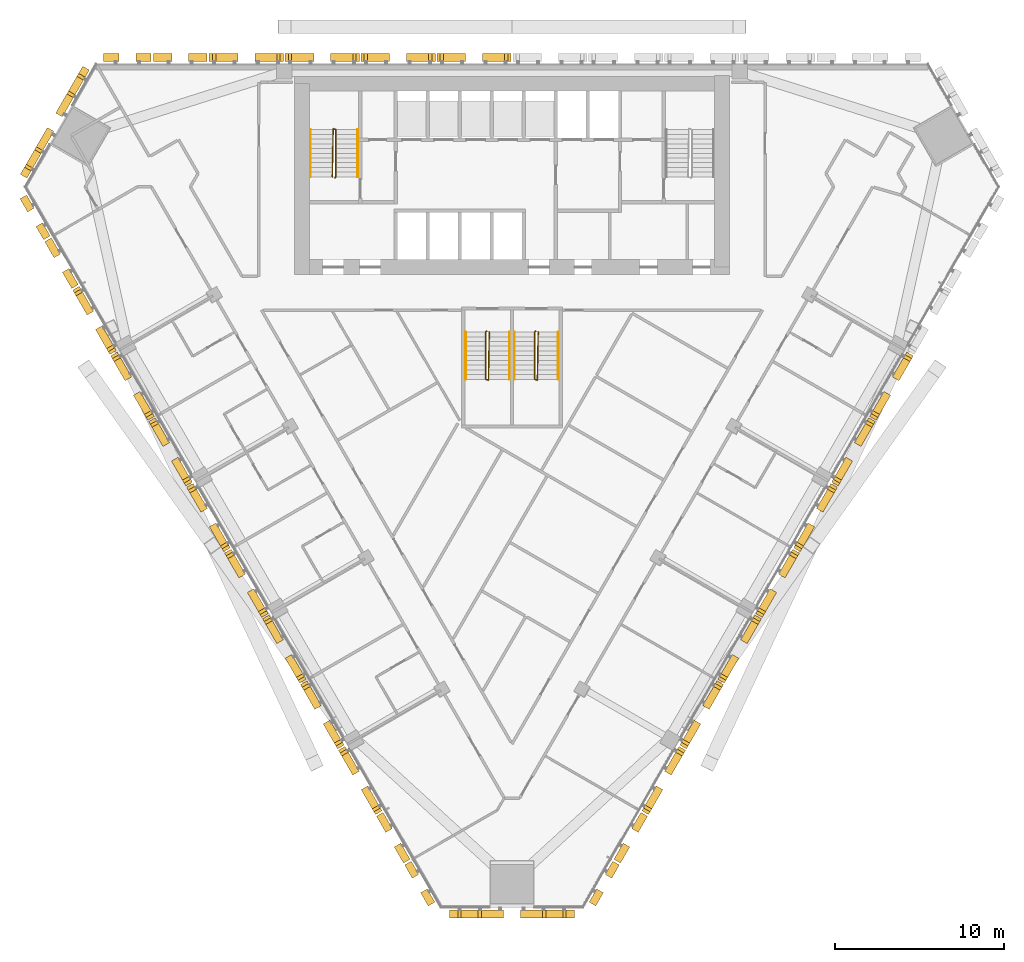
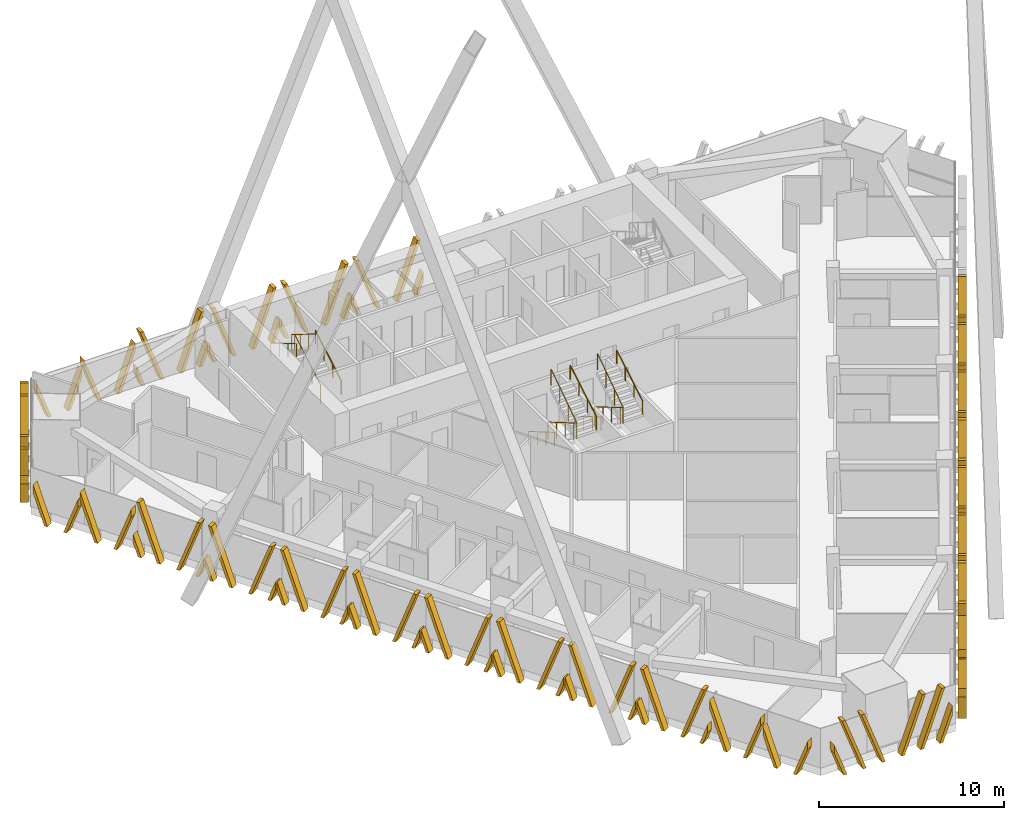
# One storey, part 21 of 23: 29 shading devices, 9 railings.
"""IFC4 building model written with IfcOpenShell, lengths in metres."""

import ifcopenshell
import ifcopenshell.guid

model = None  # the IFC model being written
_history = None  # IfcOwnerHistory: only IFC2X3 demands one
_inside = {}  # id of a spatial element -> (the spatial element, [elements in it])
_under = {}  # id of a project, library or spatial element -> (it, [spatial elements below it])
_declared = {}  # id of a project -> (the project, [libraries it declares])
_typed = {}  # id of a type object -> (the type object, [elements of that type])
_made_of = {}  # id of a material, layer set ... -> (it, [elements and type objects made of it])


def new_model(schema):
    """Start an empty IFC model of exactly this schema.

    Asked for "IFC4X3", IfcOpenShell would pick the latest addendum, in which some entities
    have other attributes; the version numbers below select the first issue.
    IFC2X3 requires an IfcOwnerHistory on every rooted entity: one is made here for all.
    """
    global model, _history
    if schema == "IFC4X3":
        model = ifcopenshell.file(schema_version=(4, 3, 0, 0))
    else:
        model = ifcopenshell.file(schema=schema)
    _inside.clear()
    _under.clear()
    _declared.clear()
    _typed.clear()
    _made_of.clear()
    _history = None
    if model.schema == "IFC2X3":
        org = make("IfcOrganization", Name="unknown")
        user = make(
            "IfcPersonAndOrganization",
            ThePerson=make("IfcPerson", FamilyName="unknown"),
            TheOrganization=org,
        )
        app = make(
            "IfcApplication",
            ApplicationDeveloper=org,
            Version="unknown",
            ApplicationFullName="unknown",
            ApplicationIdentifier="unknown",
        )
        _history = make(
            "IfcOwnerHistory",
            OwningUser=user,
            OwningApplication=app,
            ChangeAction="ADDED",
            CreationDate=0,
        )
    return model


def make(cls, **values):
    """One entity of the class cls with the attributes given. An attribute that is None is left unset."""
    return model.create_entity(
        cls, **{name: value for name, value in values.items() if value is not None}
    )


def rooted(cls, **values):
    """An entity with a GlobalId (a new one), such as an element, a storey or a relation."""
    return make(cls, GlobalId=ifcopenshell.guid.new(), OwnerHistory=_history, **values)


def si_unit(unit_type, name, prefix=None):
    """IfcSIUnit, for example si_unit("LENGTHUNIT", "METRE", prefix="MILLI")."""
    return make("IfcSIUnit", UnitType=unit_type, Prefix=prefix, Name=name)


def assignment(units):
    """IfcUnitAssignment: the units of a project."""
    return None if units is None else make("IfcUnitAssignment", Units=units)


def point(xyz):
    """IfcCartesianPoint."""
    return None if xyz is None else make("IfcCartesianPoint", Coordinates=xyz)


def direction(xyz):
    """IfcDirection."""
    return None if xyz is None else make("IfcDirection", DirectionRatios=xyz)


def frame(location, z_axis=None, x_axis=None):
    """IfcAxis2Placement3D, a coordinate frame: its origin and axes. An axis left out is left unset."""
    return make(
        "IfcAxis2Placement3D",
        Location=point(location),
        Axis=direction(z_axis),
        RefDirection=direction(x_axis),
    )


def frame_2d(location, x_axis=None):
    """IfcAxis2Placement2D, a coordinate frame in the plane: its origin and x axis."""
    return make(
        "IfcAxis2Placement2D", Location=point(location), RefDirection=direction(x_axis)
    )


def origin():
    """The frame at (0, 0, 0) with its axes left unset."""
    return frame((0.0, 0.0, 0.0))


def origin_2d():
    """The frame at (0, 0) in the plane with its x axis left unset."""
    return frame_2d((0.0, 0.0))


def place(relative_to, where):
    """IfcLocalPlacement: puts the frame where relative to a parent placement (None: the world)."""
    return make(
        "IfcLocalPlacement", PlacementRelTo=relative_to, RelativePlacement=where
    )


def context(
    kind, dimensions, precision=None, world=None, true_north=None, identifier=None
):
    """IfcGeometricRepresentationContext, for example the 3D "Model" context."""
    return make(
        "IfcGeometricRepresentationContext",
        ContextIdentifier=identifier,
        ContextType=kind,
        CoordinateSpaceDimension=dimensions,
        Precision=precision,
        WorldCoordinateSystem=world,
        TrueNorth=true_north,
    )


def subcontext(parent, identifier, kind, view, scale=None):
    """IfcGeometricRepresentationSubContext, for example "Body" below "Model"."""
    return make(
        "IfcGeometricRepresentationSubContext",
        ContextIdentifier=identifier,
        ContextType=kind,
        ParentContext=parent,
        TargetScale=scale,
        TargetView=view,
    )


def project(units=None, contexts=None):
    """IfcProject with its units and contexts."""
    return rooted(
        "IfcProject",
        Name="project",
        RepresentationContexts=contexts,
        UnitsInContext=assignment(units),
    )


def spatial(cls, under=None, at=None, **own):
    """A site, building, storey or space (cls), placed at a placement, below another one or the project."""
    s = rooted(cls, ObjectPlacement=at, **own)
    if under is not None:
        _under.setdefault(under.id(), (under, []))[1].append(s)
    return s


def polyline(points):
    """IfcPolyline through the points."""
    return make("IfcPolyline", Points=[point(p) for p in points])


def profile(cls, at=None, kind="AREA", **sizes):
    """A parametric profile (cls). Its sizes go by their IFC names, for example OverallWidth=200.0."""
    return make(cls, ProfileType=kind, Position=at, **sizes)


def circle(**sizes):
    """IfcCircleProfileDef."""
    return profile("IfcCircleProfileDef", **sizes)


def outline(outer, holes=None, kind="AREA"):
    """IfcArbitraryClosedProfileDef: a profile drawn as a closed curve; with holes, ...WithVoids."""
    if holes is None:
        return make("IfcArbitraryClosedProfileDef", ProfileType=kind, OuterCurve=outer)
    return make(
        "IfcArbitraryProfileDefWithVoids",
        ProfileType=kind,
        OuterCurve=outer,
        InnerCurves=holes,
    )


def extrude(swept, where, along, depth):
    """IfcExtrudedAreaSolid: the profile swept, set in the frame where, extruded along a direction by depth."""
    return make(
        "IfcExtrudedAreaSolid",
        SweptArea=swept,
        Position=where,
        ExtrudedDirection=direction(along),
        Depth=depth,
    )


def shape(context_of_items, identifier, shape_type, items):
    """IfcShapeRepresentation: the items that make up one representation, for example the "Body"."""
    return make(
        "IfcShapeRepresentation",
        ContextOfItems=context_of_items,
        RepresentationIdentifier=identifier,
        RepresentationType=shape_type,
        Items=items,
    )


def source(mapping_origin, context_of_items, identifier, shape_type, items):
    """IfcRepresentationMap: a shape defined once, which mapped items show again and again."""
    return make(
        "IfcRepresentationMap",
        MappingOrigin=mapping_origin,
        MappedRepresentation=shape(context_of_items, identifier, shape_type, items),
    )


def transform(
    local_origin,
    x_axis=None,
    y_axis=None,
    z_axis=None,
    scale=None,
    scale2=None,
    scale3=None,
    uniform=True,
):
    """IfcCartesianTransformationOperator3D, or its non-uniform kind. x_axis, y_axis, z_axis: its Axis1, 2, 3."""
    if uniform:
        return make(
            "IfcCartesianTransformationOperator3D",
            Axis1=direction(x_axis),
            Axis2=direction(y_axis),
            LocalOrigin=point(local_origin),
            Scale=scale,
            Axis3=direction(z_axis),
        )
    return make(
        "IfcCartesianTransformationOperator3DnonUniform",
        Axis1=direction(x_axis),
        Axis2=direction(y_axis),
        LocalOrigin=point(local_origin),
        Scale=scale,
        Axis3=direction(z_axis),
        Scale2=scale2,
        Scale3=scale3,
    )


def mapped(mapping_source, mapping_target):
    """IfcMappedItem: shows the shape of a source again, moved by a transform."""
    return make(
        "IfcMappedItem", MappingSource=mapping_source, MappingTarget=mapping_target
    )


def material(Name=None, Category=None):
    """IfcMaterial."""
    return make("IfcMaterial", Name=Name, Category=Category)


def made_of(thing, what):
    """Note that an element or type object is made of a material, layer set ...; save() writes the relation."""
    if what is not None:
        _made_of.setdefault(what.id(), (what, []))[1].append(thing)
    return thing


def type_object(cls, material=None, **own):
    """A type object (cls), such as IfcWallType, which elements share."""
    return made_of(rooted(cls, **own), material)


def element(
    cls,
    number,
    at=None,
    inside=None,
    cuts=None,
    type_object=None,
    material=None,
    context=None,
    identifier="Body",
    shape_type=None,
    held_by="IfcProductDefinitionShape",
    body=None,
    shapes=None,
    **own,
):
    """One element of the class cls, such as IfcWall. Its Tag is "e" and its number.

    at: its placement. inside: the storey or other place that contains it. cuts: it is an
    opening in that element (IfcRelVoidsElement). A single representation is given by context,
    identifier, shape_type and body (its items); several are given by shapes. held_by: the class
    of the entity that holds the representations. save() writes the other relations.
    """
    e = rooted(cls, Tag="e%d" % number, ObjectPlacement=at, **own)
    if body is not None:
        shapes = [shape(context, identifier, shape_type, body)]
    if shapes is not None:
        e.Representation = make(held_by, Representations=shapes)
    if inside is not None:
        _inside.setdefault(inside.id(), (inside, []))[1].append(e)
    if cuts is not None:
        rooted(
            "IfcRelVoidsElement", RelatingBuildingElement=cuts, RelatedOpeningElement=e
        )
    if type_object is not None:
        _typed.setdefault(type_object.id(), (type_object, []))[1].append(e)
    return made_of(e, material)


def aggregate(whole, parts):
    """IfcRelAggregates: a whole, such as a stair, and the parts it consists of."""
    return rooted("IfcRelAggregates", RelatingObject=whole, RelatedObjects=parts)


def save(model, path):
    """Write the relations noted so far, then the file.

    IfcRelAggregates (storeys below a building ...), IfcRelContainedInSpatialStructure (elements
    in a storey), IfcRelDefinesByType, IfcRelAssociatesMaterial and IfcRelDeclares: one each for
    every whole, place, type object, material and project.
    """
    for whole, parts in _under.values():
        aggregate(whole, parts)
    for where, things in _inside.values():
        rooted(
            "IfcRelContainedInSpatialStructure",
            RelatedElements=things,
            RelatingStructure=where,
        )
    for kind, things in _typed.values():
        rooted("IfcRelDefinesByType", RelatedObjects=things, RelatingType=kind)
    for what, things in _made_of.values():
        rooted("IfcRelAssociatesMaterial", RelatedObjects=things, RelatingMaterial=what)
    for by, libraries in _declared.values():
        rooted("IfcRelDeclares", RelatingContext=by, RelatedDefinitions=libraries)
    model.write(path)


model = new_model("IFC4")

# Units and contexts
model_context = context("Model", 3, precision=1e-05, world=origin(), true_north=direction((0.0, 1.0)))
body_context = subcontext(model_context, "Body", "Model", "MODEL_VIEW")
ifc_project = project(units=[si_unit("LENGTHUNIT", "METRE"), si_unit("AREAUNIT", "SQUARE_METRE"), si_unit("VOLUMEUNIT", "CUBIC_METRE"), si_unit("PLANEANGLEUNIT", "RADIAN"), si_unit("MASSUNIT", "GRAM", prefix="KILO")], contexts=[model_context])

# Site, building, storey
site_placement = place(None, origin())
site = spatial("IfcSite", under=ifc_project, at=site_placement, CompositionType="ELEMENT")
building_placement = place(site_placement, origin())
building = spatial("IfcBuilding", under=site, at=building_placement, Name="Altiplano Prism Tower", CompositionType="ELEMENT")
storey_placement = place(building_placement, frame((0.0, 0.0, 100.800048828125)))
storey = spatial("IfcBuildingStorey", under=building, at=storey_placement, Name="L25", CompositionType="ELEMENT", Elevation=100.800048828125)

# Railings
ifc_material_1 = material(Name="Steel S355", Category="steel")
railing_type_1 = type_object("IfcRailingType", Name="Stair guard 1100", PredefinedType="GUARDRAIL", material=ifc_material_1)
railing_1_placement = place(storey_placement, frame((74.5, 98.25, 0.0)))
element("IfcRailing", 1, at=railing_1_placement, inside=storey, type_object=railing_type_1, Name="L25 ST1 stair guard 1", PredefinedType="GUARDRAIL", context=body_context, shape_type="SweptSolid", body=[
    extrude(circle(Radius=0.02392578125, at=origin_2d()), frame((0.0, 0.0, 1.076171875), z_axis=(0.280808744504, 0.280808744504, 0.917765164963), x_axis=(-0.707106781187, 0.707106781187, 0.0)), (0.0, 0.0, 1.0), 0.17822265625),
    extrude(circle(Radius=0.02392578125, at=origin_2d()), frame((0.050048828125, 0.050048828125, 1.23974609375), z_axis=(0.0, 0.863360870873, 0.504586966384), x_axis=(-1.0, 0.0, 0.0)), (0.0, 0.0, 1.0), 3.2431640625),
    extrude(circle(Radius=0.02392578125, at=origin_2d()), frame((0.050048828125, 2.85009765625, 2.8759765625), z_axis=(-0.949145278916, 0.314838433982, 0.0), x_axis=(-0.314838433982, -0.949145278916, 0.0)), (0.0, 0.0, 1.0), 0.158203125),
    extrude(circle(Radius=0.02392578125, at=origin_2d()), frame((-0.10009765625, 2.89990234375, 2.8759765625), z_axis=(-0.014774583964, -0.845410385345, 0.533912906773), x_axis=(0.999847325713, -0.01747355902, 0.0)), (0.0, 0.0, 1.0), 3.370849609375),
    extrude(circle(Radius=0.02099609375, at=origin_2d()), origin(), (0.0, 0.0, 1.0), 1.052001953125),
    extrude(circle(Radius=0.02099609375, at=origin_2d()), frame((0.050048828125, 0.050048828125, 0.16357421875)), (0.0, 0.0, 1.0), 1.052001953125),
    extrude(circle(Radius=0.02099609375, at=origin_2d()), frame((0.050048828125, 0.9833984375, 0.708984375)), (0.0, 0.0, 1.0), 1.052001953125),
    extrude(circle(Radius=0.02099609375, at=origin_2d()), frame((0.050048828125, 1.916748046875, 1.254638671875)), (0.0, 0.0, 1.0), 1.052001953125),
    extrude(circle(Radius=0.02099609375, at=origin_2d()), frame((0.050048828125, 2.85009765625, 1.800048828125)), (0.0, 0.0, 1.0), 1.052001953125),
    extrude(circle(Radius=0.02099609375, at=origin_2d()), frame((-0.10009765625, 2.89990234375, 1.800048828125)), (0.0, 0.0, 1.0), 1.052001953125),
    extrude(circle(Radius=0.02099609375, at=origin_2d()), frame((-0.11669921875, 1.949951171875, 2.39990234375)), (0.0, 0.0, 1.0), 1.052001953125),
    extrude(circle(Radius=0.02099609375, at=origin_2d()), frame((-0.13330078125, 1.0, 3.0)), (0.0, 0.0, 1.0), 1.052001953125),
    extrude(circle(Radius=0.02099609375, at=origin_2d()), frame((-0.14990234375, 0.050048828125, 3.599853515625)), (0.0, 0.0, 1.0), 1.052001953125),
])
railing_2_placement = place(storey_placement, frame((83.5, 89.14990234375, 0.0)))
element("IfcRailing", 2, at=railing_2_placement, inside=storey, type_object=railing_type_1, Name="L25 ST3A stair guard 1", PredefinedType="GUARDRAIL", context=body_context, shape_type="SweptSolid", body=[
    extrude(circle(Radius=0.02392578125, at=origin_2d()), frame((0.0, 0.0, 1.076171875), z_axis=(-0.280916556609, -0.279546231943, 0.91811752648), x_axis=(0.705375805398, -0.708833529934, 0.0)), (0.0, 0.0, 1.0), 0.17822265625),
    extrude(circle(Radius=0.02392578125, at=origin_2d()), frame((-0.050048828125, -0.0498046875, 1.23974609375), z_axis=(0.0, -0.863360870873, 0.504586966384), x_axis=(1.0, 0.0, 0.0)), (0.0, 0.0, 1.0), 3.2431640625),
    extrude(circle(Radius=0.02392578125, at=origin_2d()), frame((-0.050048828125, -2.849853515625, 2.8759765625), z_axis=(0.948683298051, -0.316227766017, 0.0), x_axis=(0.316227766017, 0.948683298051, 0.0)), (0.0, 0.0, 1.0), 0.158203125),
    extrude(circle(Radius=0.02392578125, at=origin_2d()), frame((0.10009765625, -2.89990234375, 2.8759765625), z_axis=(0.014773679385, 0.845431044782, 0.53388021776), x_axis=(-0.999847351862, 0.017472062685, 0.0)), (0.0, 0.0, 1.0), 3.37109375),
    extrude(circle(Radius=0.02099609375, at=origin_2d()), origin(), (0.0, 0.0, 1.0), 1.052001953125),
    extrude(circle(Radius=0.02099609375, at=origin_2d()), frame((-0.050048828125, -0.0498046875, 0.16357421875)), (0.0, 0.0, 1.0), 1.052001953125),
    extrude(circle(Radius=0.02099609375, at=origin_2d()), frame((-0.050048828125, -0.983154296875, 0.708984375)), (0.0, 0.0, 1.0), 1.052001953125),
    extrude(circle(Radius=0.02099609375, at=origin_2d()), frame((-0.050048828125, -1.91650390625, 1.254638671875)), (0.0, 0.0, 1.0), 1.052001953125),
    extrude(circle(Radius=0.02099609375, at=origin_2d()), frame((-0.050048828125, -2.849853515625, 1.800048828125)), (0.0, 0.0, 1.0), 1.052001953125),
    extrude(circle(Radius=0.02099609375, at=origin_2d()), frame((0.10009765625, -2.89990234375, 1.800048828125)), (0.0, 0.0, 1.0), 1.052001953125),
    extrude(circle(Radius=0.02099609375, at=origin_2d()), frame((0.11669921875, -1.949951171875, 2.39990234375)), (0.0, 0.0, 1.0), 1.052001953125),
    extrude(circle(Radius=0.02099609375, at=origin_2d()), frame((0.13330078125, -0.999755859375, 3.0)), (0.0, 0.0, 1.0), 1.052001953125),
    extrude(circle(Radius=0.02099609375, at=origin_2d()), frame((0.14990234375, -0.0498046875, 3.599853515625)), (0.0, 0.0, 1.0), 1.052001953125),
])
railing_3_placement = place(storey_placement, frame((86.39990234375, 89.14990234375, 0.0)))
element("IfcRailing", 3, at=railing_3_placement, inside=storey, type_object=railing_type_1, Name="L25 ST3B stair guard 1", PredefinedType="GUARDRAIL", context=body_context, shape_type="SweptSolid", body=[
    extrude(circle(Radius=0.02392578125, at=origin_2d()), frame((0.0, 0.0, 1.076171875), z_axis=(-0.279653641804, -0.279653641804, 0.918470294159), x_axis=(0.707106781187, -0.707106781187, 0.0)), (0.0, 0.0, 1.0), 0.177978515625),
    extrude(circle(Radius=0.02392578125, at=origin_2d()), frame((-0.0498046875, -0.0498046875, 1.23974609375), z_axis=(0.0, -0.863360870873, 0.504586966384), x_axis=(1.0, 0.0, 0.0)), (0.0, 0.0, 1.0), 3.2431640625),
    extrude(circle(Radius=0.02392578125, at=origin_2d()), frame((-0.0498046875, -2.849853515625, 2.8759765625), z_axis=(0.948528701346, -0.316691178788, 0.0), x_axis=(0.316691178788, 0.948528701346, 0.0)), (0.0, 0.0, 1.0), 0.157958984375),
    extrude(circle(Radius=0.02392578125, at=origin_2d()), frame((0.10009765625, -2.89990234375, 2.8759765625), z_axis=(0.014846083459, 0.845430138032, 0.533879645158), x_axis=(-0.999845851991, 0.017557683712, 0.0)), (0.0, 0.0, 1.0), 3.37109375),
    extrude(circle(Radius=0.02099609375, at=origin_2d()), origin(), (0.0, 0.0, 1.0), 1.052001953125),
    extrude(circle(Radius=0.02099609375, at=origin_2d()), frame((-0.0498046875, -0.0498046875, 0.16357421875)), (0.0, 0.0, 1.0), 1.052001953125),
    extrude(circle(Radius=0.02099609375, at=origin_2d()), frame((-0.0498046875, -0.983154296875, 0.708984375)), (0.0, 0.0, 1.0), 1.052001953125),
    extrude(circle(Radius=0.02099609375, at=origin_2d()), frame((-0.0498046875, -1.91650390625, 1.254638671875)), (0.0, 0.0, 1.0), 1.052001953125),
    extrude(circle(Radius=0.02099609375, at=origin_2d()), frame((-0.0498046875, -2.849853515625, 1.800048828125)), (0.0, 0.0, 1.0), 1.052001953125),
    extrude(circle(Radius=0.02099609375, at=origin_2d()), frame((0.10009765625, -2.89990234375, 1.800048828125)), (0.0, 0.0, 1.0), 1.052001953125),
    extrude(circle(Radius=0.02099609375, at=origin_2d()), frame((0.11669921875, -1.949951171875, 2.39990234375)), (0.0, 0.0, 1.0), 1.052001953125),
    extrude(circle(Radius=0.02099609375, at=origin_2d()), frame((0.133544921875, -0.999755859375, 3.0)), (0.0, 0.0, 1.0), 1.052001953125),
    extrude(circle(Radius=0.02099609375, at=origin_2d()), frame((0.150146484375, -0.0498046875, 3.599853515625)), (0.0, 0.0, 1.0), 1.052001953125),
])
railing_type_2 = type_object("IfcRailingType", Name="Stair handrail 900", PredefinedType="HANDRAIL", material=ifc_material_1)
railing_4_placement = place(storey_placement, frame((75.85009765625, 98.300048828125, 0.16357421875)))
element("IfcRailing", 4, at=railing_4_placement, inside=storey, type_object=railing_type_2, Name="L25 ST1 stair handrail 1", PredefinedType="HANDRAIL", context=body_context, shape_type="SweptSolid", body=[
    extrude(circle(Radius=0.02392578125, at=origin_2d()), frame((0.0, 0.0, 0.8759765625), z_axis=(0.0, 0.863360870873, 0.504586966384), x_axis=(-1.0, 0.0, 0.0)), (0.0, 0.0, 1.0), 3.2431640625),
    extrude(circle(Radius=0.02099609375, at=origin_2d()), origin(), (0.0, 0.0, 1.0), 0.851806640625),
    extrude(circle(Radius=0.02099609375, at=origin_2d()), frame((0.0, 0.933349609375, 0.54541015625)), (0.0, 0.0, 1.0), 0.851806640625),
    extrude(circle(Radius=0.02099609375, at=origin_2d()), frame((0.0, 1.86669921875, 1.091064453125)), (0.0, 0.0, 1.0), 0.851806640625),
    extrude(circle(Radius=0.02099609375, at=origin_2d()), frame((0.0, 2.800048828125, 1.636474609375)), (0.0, 0.0, 1.0), 0.851806640625),
])
railing_5_placement = place(storey_placement, frame((73.050048828125, 101.10009765625, 1.963623046875)))
element("IfcRailing", 5, at=railing_5_placement, inside=storey, type_object=railing_type_2, Name="L25 ST1 stair handrail 2", PredefinedType="HANDRAIL", context=body_context, shape_type="SweptSolid", body=[
    extrude(circle(Radius=0.02392578125, at=origin_2d()), frame((0.0, 0.0, 0.8759765625), z_axis=(0.0, -0.863393664356, 0.504530851732), x_axis=(1.0, 0.0, 0.0)), (0.0, 0.0, 1.0), 3.2431640625),
    extrude(circle(Radius=0.02099609375, at=origin_2d()), origin(), (0.0, 0.0, 1.0), 0.851806640625),
    extrude(circle(Radius=0.02099609375, at=origin_2d()), frame((0.0, -0.933349609375, 0.54541015625)), (0.0, 0.0, 1.0), 0.851806640625),
    extrude(circle(Radius=0.02099609375, at=origin_2d()), frame((0.0, -1.86669921875, 1.0908203125)), (0.0, 0.0, 1.0), 0.851806640625),
    extrude(circle(Radius=0.02099609375, at=origin_2d()), frame((0.0, -2.800048828125, 1.63623046875)), (0.0, 0.0, 1.0), 0.851806640625),
])
railing_6_placement = place(storey_placement, frame((82.25, 89.10009765625, 0.16357421875)))
element("IfcRailing", 6, at=railing_6_placement, inside=storey, type_object=railing_type_2, Name="L25 ST3A stair handrail 1", PredefinedType="HANDRAIL", context=body_context, shape_type="SweptSolid", body=[
    extrude(circle(Radius=0.02392578125, at=origin_2d()), frame((0.0, 0.0, 0.8759765625), z_axis=(0.0, -0.863360870873, 0.504586966384), x_axis=(1.0, 0.0, 0.0)), (0.0, 0.0, 1.0), 3.2431640625),
    extrude(circle(Radius=0.02099609375, at=origin_2d()), origin(), (0.0, 0.0, 1.0), 0.851806640625),
    extrude(circle(Radius=0.02099609375, at=origin_2d()), frame((0.0, -0.933349609375, 0.54541015625)), (0.0, 0.0, 1.0), 0.851806640625),
    extrude(circle(Radius=0.02099609375, at=origin_2d()), frame((0.0, -1.86669921875, 1.091064453125)), (0.0, 0.0, 1.0), 0.851806640625),
    extrude(circle(Radius=0.02099609375, at=origin_2d()), frame((0.0, -2.800048828125, 1.636474609375)), (0.0, 0.0, 1.0), 0.851806640625),
])
railing_7_placement = place(storey_placement, frame((84.85009765625, 86.300048828125, 1.963623046875)))
element("IfcRailing", 7, at=railing_7_placement, inside=storey, type_object=railing_type_2, Name="L25 ST3A stair handrail 2", PredefinedType="HANDRAIL", context=body_context, shape_type="SweptSolid", body=[
    extrude(circle(Radius=0.02392578125, at=origin_2d()), frame((0.0, 0.0, 0.8759765625), z_axis=(0.0, 0.863393664356, 0.504530851732), x_axis=(-1.0, 0.0, 0.0)), (0.0, 0.0, 1.0), 3.2431640625),
    extrude(circle(Radius=0.02099609375, at=origin_2d()), origin(), (0.0, 0.0, 1.0), 0.851806640625),
    extrude(circle(Radius=0.02099609375, at=origin_2d()), frame((0.0, 0.933349609375, 0.54541015625)), (0.0, 0.0, 1.0), 0.851806640625),
    extrude(circle(Radius=0.02099609375, at=origin_2d()), frame((0.0, 1.86669921875, 1.0908203125)), (0.0, 0.0, 1.0), 0.851806640625),
    extrude(circle(Radius=0.02099609375, at=origin_2d()), frame((0.0, 2.800048828125, 1.63623046875)), (0.0, 0.0, 1.0), 0.851806640625),
])
railing_8_placement = place(storey_placement, frame((85.14990234375, 89.10009765625, 0.16357421875)))
element("IfcRailing", 8, at=railing_8_placement, inside=storey, type_object=railing_type_2, Name="L25 ST3B stair handrail 1", PredefinedType="HANDRAIL", context=body_context, shape_type="SweptSolid", body=[
    extrude(circle(Radius=0.02392578125, at=origin_2d()), frame((0.0, 0.0, 0.8759765625), z_axis=(0.0, -0.863360870873, 0.504586966384), x_axis=(1.0, 0.0, 0.0)), (0.0, 0.0, 1.0), 3.2431640625),
    extrude(circle(Radius=0.02099609375, at=origin_2d()), origin(), (0.0, 0.0, 1.0), 0.851806640625),
    extrude(circle(Radius=0.02099609375, at=origin_2d()), frame((0.0, -0.933349609375, 0.54541015625)), (0.0, 0.0, 1.0), 0.851806640625),
    extrude(circle(Radius=0.02099609375, at=origin_2d()), frame((0.0, -1.86669921875, 1.091064453125)), (0.0, 0.0, 1.0), 0.851806640625),
    extrude(circle(Radius=0.02099609375, at=origin_2d()), frame((0.0, -2.800048828125, 1.636474609375)), (0.0, 0.0, 1.0), 0.851806640625),
])
railing_9_placement = place(storey_placement, frame((87.75, 86.300048828125, 1.963623046875)))
element("IfcRailing", 9, at=railing_9_placement, inside=storey, type_object=railing_type_2, Name="L25 ST3B stair handrail 2", PredefinedType="HANDRAIL", context=body_context, shape_type="SweptSolid", body=[
    extrude(circle(Radius=0.02392578125, at=origin_2d()), frame((0.0, 0.0, 0.8759765625), z_axis=(0.0, 0.863393664356, 0.504530851732), x_axis=(-1.0, 0.0, 0.0)), (0.0, 0.0, 1.0), 3.2431640625),
    extrude(circle(Radius=0.02099609375, at=origin_2d()), origin(), (0.0, 0.0, 1.0), 0.851806640625),
    extrude(circle(Radius=0.02099609375, at=origin_2d()), frame((0.0, 0.933349609375, 0.54541015625)), (0.0, 0.0, 1.0), 0.851806640625),
    extrude(circle(Radius=0.02099609375, at=origin_2d()), frame((0.0, 1.86669921875, 1.0908203125)), (0.0, 0.0, 1.0), 0.851806640625),
    extrude(circle(Radius=0.02099609375, at=origin_2d()), frame((0.0, 2.800048828125, 1.63623046875)), (0.0, 0.0, 1.0), 0.851806640625),
])

# Shading devices
ifc_material_2 = material(Name="Warm limestone cast stone", Category="masonry")
shading_device_type_1 = type_object("IfcShadingDeviceType", Name="Stone fin panel, narrow closing bay", PredefinedType="USERDEFINED", material=ifc_material_2)
shared_shape_1 = source(origin(), body_context, "Body", "SweptSolid", [
    extrude(outline(polyline([(-1.60009765625, 3.022216796875), (-1.60009765625, 2.47265625), (-0.699951171875, 0.0), (-0.5, 0.0), (-1.60009765625, 3.022216796875)])), frame((0.0, -0.14990234375, 0.0), z_axis=(0.0, -1.0, 0.0), x_axis=(1.0, 0.0, 0.0)), (0.0, 0.0, 1.0), 0.4501953125),
    extrude(outline(polyline([(1.60009765625, 2.47265625), (1.60009765625, 3.022216796875), (0.5, 0.0), (0.699951171875, 0.0), (1.60009765625, 2.47265625)])), frame((0.0, -0.14990234375, 0.0), z_axis=(0.0, -1.0, 0.0), x_axis=(1.0, 0.0, 0.0)), (0.0, 0.0, 1.0), 0.4501953125),
])
shading_device_1_placement = place(storey_placement, origin())
element("IfcShadingDevice", 10, at=shading_device_1_placement, inside=storey, type_object=shading_device_type_1, Name="Fin L25 north face 11", ObjectType="FIN", PredefinedType="USERDEFINED", context=body_context, shape_type="MappedRepresentation", body=[
    mapped(shared_shape_1, transform((65.332275390625, 105.0, -0.5), x_axis=(-1.0, 0.0, 0.0), y_axis=(0.0, -1.0, 0.0), z_axis=(0.0, 0.0, 1.0))),
])
shading_device_2_placement = place(storey_placement, origin())
element("IfcShadingDevice", 11, at=shading_device_2_placement, inside=storey, type_object=shading_device_type_1, Name="Fin L25 south-west face 2", ObjectType="FIN", PredefinedType="USERDEFINED", context=body_context, shape_type="MappedRepresentation", body=[
    mapped(shared_shape_1, transform((58.619384765625, 93.373046875, -0.5), x_axis=(0.50000000184, -0.866025402722, 0.0), y_axis=(0.866025402722, 0.50000000184, 0.0), z_axis=(0.0, 0.0, 1.0))),
])
shading_device_3_placement = place(storey_placement, origin())
element("IfcShadingDevice", 12, at=shading_device_3_placement, inside=storey, type_object=shading_device_type_1, Name="Fin L25 south-west face 11", ObjectType="FIN", PredefinedType="USERDEFINED", context=body_context, shape_type="MappedRepresentation", body=[
    mapped(shared_shape_1, transform((78.287109375, 59.307373046875, -0.5), x_axis=(0.50000000184, -0.866025402722, 0.0), y_axis=(0.866025402722, 0.50000000184, 0.0), z_axis=(0.0, 0.0, 1.0))),
])
shading_device_4_placement = place(storey_placement, origin())
element("IfcShadingDevice", 13, at=shading_device_4_placement, inside=storey, type_object=shading_device_type_1, Name="Fin L25 south-east face 2", ObjectType="FIN", PredefinedType="USERDEFINED", context=body_context, shape_type="MappedRepresentation", body=[
    mapped(shared_shape_1, transform((91.712890625, 59.307373046875, -0.5), x_axis=(0.50000000184, 0.866025402722, 0.0), y_axis=(-0.866025402722, 0.50000000184, 0.0), z_axis=(0.0, 0.0, 1.0))),
])
shading_device_type_2 = type_object("IfcShadingDeviceType", Name="Stone fin panel, standard unit", PredefinedType="USERDEFINED", material=ifc_material_2)
shared_shape_2 = source(origin(), body_context, "Body", "SweptSolid", [
    extrude(outline(polyline([(-2.199951171875, 1.373779296875), (-2.199951171875, 0.82421875), (-1.89990234375, 0.0), (-1.699951171875, 0.0), (-2.199951171875, 1.373779296875)])), frame((0.0, -0.14990234375, 0.0), z_axis=(0.0, -1.0, 0.0), x_axis=(1.0, 0.0, 0.0)), (0.0, 0.0, 1.0), 0.4501953125),
    extrude(outline(polyline([(-2.01025390625, 3.60009765625), (-0.699951171875, 0.0), (-0.5, 0.0), (-1.810302734375, 3.60009765625), (-2.01025390625, 3.60009765625)])), frame((0.0, -0.14990234375, 0.0), z_axis=(0.0, -1.0, 0.0), x_axis=(1.0, 0.0, 0.0)), (0.0, 0.0, 1.0), 0.4501953125),
    extrude(outline(polyline([(1.810302734375, 3.60009765625), (0.5, 0.0), (0.699951171875, 0.0), (2.01025390625, 3.60009765625), (1.810302734375, 3.60009765625)])), frame((0.0, -0.14990234375, 0.0), z_axis=(0.0, -1.0, 0.0), x_axis=(1.0, 0.0, 0.0)), (0.0, 0.0, 1.0), 0.4501953125),
    extrude(outline(polyline([(2.199951171875, 0.82421875), (2.199951171875, 1.373779296875), (1.699951171875, 0.0), (1.89990234375, 0.0), (2.199951171875, 0.82421875)])), frame((0.0, -0.14990234375, 0.0), z_axis=(0.0, -1.0, 0.0), x_axis=(1.0, 0.0, 0.0)), (0.0, 0.0, 1.0), 0.4501953125),
])
shading_device_5_placement = place(storey_placement, origin())
element("IfcShadingDevice", 14, at=shading_device_5_placement, inside=storey, type_object=shading_device_type_2, Name="Fin L25 north face 7", ObjectType="FIN", PredefinedType="USERDEFINED", context=body_context, shape_type="MappedRepresentation", body=[
    mapped(shared_shape_2, transform((82.75, 105.0, -0.5), x_axis=(-1.0, 0.0, 0.0), y_axis=(0.0, -1.0, 0.0), z_axis=(0.0, 0.0, 1.0))),
])
shading_device_6_placement = place(storey_placement, origin())
element("IfcShadingDevice", 15, at=shading_device_6_placement, inside=storey, type_object=shading_device_type_2, Name="Fin L25 north face 8", ObjectType="FIN", PredefinedType="USERDEFINED", context=body_context, shape_type="MappedRepresentation", body=[
    mapped(shared_shape_2, transform((78.25, 105.0, -0.5), x_axis=(-1.0, 0.0, 0.0), y_axis=(0.0, -1.0, 0.0), z_axis=(0.0, 0.0, 1.0))),
])
shading_device_7_placement = place(storey_placement, origin())
element("IfcShadingDevice", 16, at=shading_device_7_placement, inside=storey, type_object=shading_device_type_2, Name="Fin L25 north face 9", ObjectType="FIN", PredefinedType="USERDEFINED", context=body_context, shape_type="MappedRepresentation", body=[
    mapped(shared_shape_2, transform((73.75, 105.0, -0.5), x_axis=(-1.0, 0.0, 0.0), y_axis=(0.0, -1.0, 0.0), z_axis=(0.0, 0.0, 1.0))),
])
shading_device_8_placement = place(storey_placement, origin())
element("IfcShadingDevice", 17, at=shading_device_8_placement, inside=storey, type_object=shading_device_type_2, Name="Fin L25 north face 10", ObjectType="FIN", PredefinedType="USERDEFINED", context=body_context, shape_type="MappedRepresentation", body=[
    mapped(shared_shape_2, transform((69.25, 105.0, -0.5), x_axis=(-1.0, 0.0, 0.0), y_axis=(0.0, -1.0, 0.0), z_axis=(0.0, 0.0, 1.0))),
])
shading_device_9_placement = place(storey_placement, origin())
element("IfcShadingDevice", 18, at=shading_device_9_placement, inside=storey, type_object=shading_device_type_2, Name="Fin L25 south-west face 3", ObjectType="FIN", PredefinedType="USERDEFINED", context=body_context, shape_type="MappedRepresentation", body=[
    mapped(shared_shape_2, transform((60.578369140625, 89.97998046875, -0.5), x_axis=(0.50000000184, -0.866025402722, 0.0), y_axis=(0.866025402722, 0.50000000184, 0.0), z_axis=(0.0, 0.0, 1.0))),
])
shading_device_10_placement = place(storey_placement, origin())
element("IfcShadingDevice", 19, at=shading_device_10_placement, inside=storey, type_object=shading_device_type_2, Name="Fin L25 south-west face 4", ObjectType="FIN", PredefinedType="USERDEFINED", context=body_context, shape_type="MappedRepresentation", body=[
    mapped(shared_shape_2, transform((62.828369140625, 86.0830078125, -0.5), x_axis=(0.50000000184, -0.866025402722, 0.0), y_axis=(0.866025402722, 0.50000000184, 0.0), z_axis=(0.0, 0.0, 1.0))),
])
shading_device_11_placement = place(storey_placement, origin())
element("IfcShadingDevice", 20, at=shading_device_11_placement, inside=storey, type_object=shading_device_type_2, Name="Fin L25 south-west face 5", ObjectType="FIN", PredefinedType="USERDEFINED", context=body_context, shape_type="MappedRepresentation", body=[
    mapped(shared_shape_2, transform((65.078369140625, 82.185791015625, -0.5), x_axis=(0.50000000184, -0.866025402722, 0.0), y_axis=(0.866025402722, 0.50000000184, 0.0), z_axis=(0.0, 0.0, 1.0))),
])
shading_device_12_placement = place(storey_placement, origin())
element("IfcShadingDevice", 21, at=shading_device_12_placement, inside=storey, type_object=shading_device_type_2, Name="Fin L25 south-west face 6", ObjectType="FIN", PredefinedType="USERDEFINED", context=body_context, shape_type="MappedRepresentation", body=[
    mapped(shared_shape_2, transform((67.328369140625, 78.288818359375, -0.5), x_axis=(0.50000000184, -0.866025402722, 0.0), y_axis=(0.866025402722, 0.50000000184, 0.0), z_axis=(0.0, 0.0, 1.0))),
])
shading_device_13_placement = place(storey_placement, origin())
element("IfcShadingDevice", 22, at=shading_device_13_placement, inside=storey, type_object=shading_device_type_2, Name="Fin L25 south-west face 7", ObjectType="FIN", PredefinedType="USERDEFINED", context=body_context, shape_type="MappedRepresentation", body=[
    mapped(shared_shape_2, transform((69.578369140625, 74.3916015625, -0.5), x_axis=(0.50000000184, -0.866025402722, 0.0), y_axis=(0.866025402722, 0.50000000184, 0.0), z_axis=(0.0, 0.0, 1.0))),
])
shading_device_14_placement = place(storey_placement, origin())
element("IfcShadingDevice", 23, at=shading_device_14_placement, inside=storey, type_object=shading_device_type_2, Name="Fin L25 south-west face 8", ObjectType="FIN", PredefinedType="USERDEFINED", context=body_context, shape_type="MappedRepresentation", body=[
    mapped(shared_shape_2, transform((71.828369140625, 70.49462890625, -0.5), x_axis=(0.50000000184, -0.866025402722, 0.0), y_axis=(0.866025402722, 0.50000000184, 0.0), z_axis=(0.0, 0.0, 1.0))),
])
shading_device_15_placement = place(storey_placement, origin())
element("IfcShadingDevice", 24, at=shading_device_15_placement, inside=storey, type_object=shading_device_type_2, Name="Fin L25 south-west face 9", ObjectType="FIN", PredefinedType="USERDEFINED", context=body_context, shape_type="MappedRepresentation", body=[
    mapped(shared_shape_2, transform((74.078369140625, 66.597412109375, -0.5), x_axis=(0.50000000184, -0.866025402722, 0.0), y_axis=(0.866025402722, 0.50000000184, 0.0), z_axis=(0.0, 0.0, 1.0))),
])
shading_device_16_placement = place(storey_placement, origin())
element("IfcShadingDevice", 25, at=shading_device_16_placement, inside=storey, type_object=shading_device_type_2, Name="Fin L25 south-west face 10", ObjectType="FIN", PredefinedType="USERDEFINED", context=body_context, shape_type="MappedRepresentation", body=[
    mapped(shared_shape_2, transform((76.328369140625, 62.7001953125, -0.5), x_axis=(0.50000000184, -0.866025402722, 0.0), y_axis=(0.866025402722, 0.50000000184, 0.0), z_axis=(0.0, 0.0, 1.0))),
])
shading_device_17_placement = place(storey_placement, origin())
element("IfcShadingDevice", 26, at=shading_device_17_placement, inside=storey, type_object=shading_device_type_2, Name="Fin L25 south-east face 3", ObjectType="FIN", PredefinedType="USERDEFINED", context=body_context, shape_type="MappedRepresentation", body=[
    mapped(shared_shape_2, transform((93.671630859375, 62.7001953125, -0.5), x_axis=(0.50000000184, 0.866025402722, 0.0), y_axis=(-0.866025402722, 0.50000000184, 0.0), z_axis=(0.0, 0.0, 1.0))),
])
shading_device_18_placement = place(storey_placement, origin())
element("IfcShadingDevice", 27, at=shading_device_18_placement, inside=storey, type_object=shading_device_type_2, Name="Fin L25 south-east face 4", ObjectType="FIN", PredefinedType="USERDEFINED", context=body_context, shape_type="MappedRepresentation", body=[
    mapped(shared_shape_2, transform((95.921630859375, 66.597412109375, -0.5), x_axis=(0.50000000184, 0.866025402722, 0.0), y_axis=(-0.866025402722, 0.50000000184, 0.0), z_axis=(0.0, 0.0, 1.0))),
])
shading_device_19_placement = place(storey_placement, origin())
element("IfcShadingDevice", 28, at=shading_device_19_placement, inside=storey, type_object=shading_device_type_2, Name="Fin L25 south-east face 5", ObjectType="FIN", PredefinedType="USERDEFINED", context=body_context, shape_type="MappedRepresentation", body=[
    mapped(shared_shape_2, transform((98.171630859375, 70.49462890625, -0.5), x_axis=(0.50000000184, 0.866025402722, 0.0), y_axis=(-0.866025402722, 0.50000000184, 0.0), z_axis=(0.0, 0.0, 1.0))),
])
shading_device_20_placement = place(storey_placement, origin())
element("IfcShadingDevice", 29, at=shading_device_20_placement, inside=storey, type_object=shading_device_type_2, Name="Fin L25 south-east face 6", ObjectType="FIN", PredefinedType="USERDEFINED", context=body_context, shape_type="MappedRepresentation", body=[
    mapped(shared_shape_2, transform((100.421630859375, 74.3916015625, -0.5), x_axis=(0.50000000184, 0.866025402722, 0.0), y_axis=(-0.866025402722, 0.50000000184, 0.0), z_axis=(0.0, 0.0, 1.0))),
])
shading_device_21_placement = place(storey_placement, origin())
element("IfcShadingDevice", 30, at=shading_device_21_placement, inside=storey, type_object=shading_device_type_2, Name="Fin L25 south-east face 7", ObjectType="FIN", PredefinedType="USERDEFINED", context=body_context, shape_type="MappedRepresentation", body=[
    mapped(shared_shape_2, transform((102.671630859375, 78.288818359375, -0.5), x_axis=(0.50000000184, 0.866025402722, 0.0), y_axis=(-0.866025402722, 0.50000000184, 0.0), z_axis=(0.0, 0.0, 1.0))),
])
shading_device_22_placement = place(storey_placement, origin())
element("IfcShadingDevice", 31, at=shading_device_22_placement, inside=storey, type_object=shading_device_type_2, Name="Fin L25 south-east face 8", ObjectType="FIN", PredefinedType="USERDEFINED", context=body_context, shape_type="MappedRepresentation", body=[
    mapped(shared_shape_2, transform((104.921630859375, 82.185791015625, -0.5), x_axis=(0.50000000184, 0.866025402722, 0.0), y_axis=(-0.866025402722, 0.50000000184, 0.0), z_axis=(0.0, 0.0, 1.0))),
])
shading_device_23_placement = place(storey_placement, origin())
element("IfcShadingDevice", 32, at=shading_device_23_placement, inside=storey, type_object=shading_device_type_2, Name="Fin L25 south-east face 9", ObjectType="FIN", PredefinedType="USERDEFINED", context=body_context, shape_type="MappedRepresentation", body=[
    mapped(shared_shape_2, transform((107.171630859375, 86.0830078125, -0.5), x_axis=(0.50000000184, 0.866025402722, 0.0), y_axis=(-0.866025402722, 0.50000000184, 0.0), z_axis=(0.0, 0.0, 1.0))),
])
shared_shape_3 = source(origin(), body_context, "Body", "SweptSolid", [
    extrude(outline(polyline([(-1.39990234375, 2.47265625), (-1.39990234375, 1.923095703125), (-0.699951171875, 0.0), (-0.5, 0.0), (-1.39990234375, 2.47265625)])), frame((0.0, -0.14990234375, 0.0), z_axis=(0.0, -1.0, 0.0), x_axis=(1.0, 0.0, 0.0)), (0.0, 0.0, 1.0), 0.4501953125),
    extrude(outline(polyline([(1.39990234375, 1.923095703125), (1.39990234375, 2.47265625), (0.5, 0.0), (0.699951171875, 0.0), (1.39990234375, 1.923095703125)])), frame((0.0, -0.14990234375, 0.0), z_axis=(0.0, -1.0, 0.0), x_axis=(1.0, 0.0, 0.0)), (0.0, 0.0, 1.0), 0.4501953125),
])
shading_device_24_placement = place(storey_placement, origin())
element("IfcShadingDevice", 33, at=shading_device_24_placement, inside=storey, type_object=shading_device_type_1, Name="Fin L25 north face 12", ObjectType="FIN", PredefinedType="USERDEFINED", context=body_context, shape_type="MappedRepresentation", body=[
    mapped(shared_shape_3, transform((62.196533203125, 105.0, -0.5), x_axis=(-1.0, 0.0, 0.0), y_axis=(0.0, -1.0, 0.0), z_axis=(0.0, 0.0, 1.0))),
])
shading_device_25_placement = place(storey_placement, origin())
element("IfcShadingDevice", 34, at=shading_device_25_placement, inside=storey, type_object=shading_device_type_1, Name="Fin L25 south-west face 1", ObjectType="FIN", PredefinedType="USERDEFINED", context=body_context, shape_type="MappedRepresentation", body=[
    mapped(shared_shape_3, transform((57.051513671875, 96.088623046875, -0.5), x_axis=(0.50000000184, -0.866025402722, 0.0), y_axis=(0.866025402722, 0.50000000184, 0.0), z_axis=(0.0, 0.0, 1.0))),
])
shading_device_26_placement = place(storey_placement, origin())
element("IfcShadingDevice", 35, at=shading_device_26_placement, inside=storey, type_object=shading_device_type_1, Name="Fin L25 south-west face 12", ObjectType="FIN", PredefinedType="USERDEFINED", context=body_context, shape_type="MappedRepresentation", body=[
    mapped(shared_shape_3, transform((79.85498046875, 56.591796875, -0.5), x_axis=(0.50000000184, -0.866025402722, 0.0), y_axis=(0.866025402722, 0.50000000184, 0.0), z_axis=(0.0, 0.0, 1.0))),
])
shading_device_27_placement = place(storey_placement, origin())
element("IfcShadingDevice", 36, at=shading_device_27_placement, inside=storey, type_object=shading_device_type_1, Name="Fin L25 south-east face 1", ObjectType="FIN", PredefinedType="USERDEFINED", context=body_context, shape_type="MappedRepresentation", body=[
    mapped(shared_shape_3, transform((90.14501953125, 56.591796875, -0.5), x_axis=(0.50000000184, 0.866025402722, 0.0), y_axis=(-0.866025402722, 0.50000000184, 0.0), z_axis=(0.0, 0.0, 1.0))),
])
shading_device_type_3 = type_object("IfcShadingDeviceType", Name="Stone fin panel, chamfer unit", PredefinedType="USERDEFINED", material=ifc_material_2)
shared_shape_4 = source(origin(), body_context, "Body", "SweptSolid", [
    extrude(outline(polyline([(-3.699951171875, 2.197998046875), (-3.699951171875, 1.6484375), (-3.10009765625, 0.0), (-2.89990234375, 0.0), (-3.699951171875, 2.197998046875)])), frame((0.0, -0.14990234375, 0.0), z_axis=(0.0, -1.0, 0.0), x_axis=(1.0, 0.0, 0.0)), (0.0, 0.0, 1.0), 0.4501953125),
    extrude(outline(polyline([(-3.210205078125, 3.60009765625), (-1.89990234375, 0.0), (-1.699951171875, 0.0), (-3.01025390625, 3.60009765625), (-3.210205078125, 3.60009765625)])), frame((0.0, -0.14990234375, 0.0), z_axis=(0.0, -1.0, 0.0), x_axis=(1.0, 0.0, 0.0)), (0.0, 0.0, 1.0), 0.4501953125),
    extrude(outline(polyline([(-2.01025390625, 3.60009765625), (-0.699951171875, 0.0), (-0.5, 0.0), (-1.810302734375, 3.60009765625), (-2.01025390625, 3.60009765625)])), frame((0.0, -0.14990234375, 0.0), z_axis=(0.0, -1.0, 0.0), x_axis=(1.0, 0.0, 0.0)), (0.0, 0.0, 1.0), 0.4501953125),
    extrude(outline(polyline([(1.810302734375, 3.60009765625), (0.5, 0.0), (0.699951171875, 0.0), (2.01025390625, 3.60009765625), (1.810302734375, 3.60009765625)])), frame((0.0, -0.14990234375, 0.0), z_axis=(0.0, -1.0, 0.0), x_axis=(1.0, 0.0, 0.0)), (0.0, 0.0, 1.0), 0.4501953125),
    extrude(outline(polyline([(3.01025390625, 3.60009765625), (1.699951171875, 0.0), (1.89990234375, 0.0), (3.210205078125, 3.60009765625), (3.01025390625, 3.60009765625)])), frame((0.0, -0.14990234375, 0.0), z_axis=(0.0, -1.0, 0.0), x_axis=(1.0, 0.0, 0.0)), (0.0, 0.0, 1.0), 0.4501953125),
    extrude(outline(polyline([(3.699951171875, 1.6484375), (3.699951171875, 2.197998046875), (2.89990234375, 0.0), (3.10009765625, 0.0), (3.699951171875, 1.6484375)])), frame((0.0, -0.14990234375, 0.0), z_axis=(0.0, -1.0, 0.0), x_axis=(1.0, 0.0, 0.0)), (0.0, 0.0, 1.0), 0.4501953125),
])
shading_device_28_placement = place(storey_placement, origin())
element("IfcShadingDevice", 37, at=shading_device_28_placement, inside=storey, type_object=shading_device_type_3, Name="Fin L25 north-west chamfer 1", ObjectType="FIN", PredefinedType="USERDEFINED", context=body_context, shape_type="MappedRepresentation", body=[
    mapped(shared_shape_4, transform((58.22314453125, 101.35302734375, -0.5), x_axis=(-0.500000034817, -0.866025383683, 0.0), y_axis=(0.866025383683, -0.500000034817, 0.0), z_axis=(0.0, 0.0, 1.0))),
])
shading_device_29_placement = place(storey_placement, origin())
element("IfcShadingDevice", 38, at=shading_device_29_placement, inside=storey, type_object=shading_device_type_3, Name="Fin L25 south chamfer 1", ObjectType="FIN", PredefinedType="USERDEFINED", context=body_context, shape_type="MappedRepresentation", body=[
    mapped(shared_shape_4, transform((85.0, 54.97412109375, -0.5), x_axis=(1.0, 0.0, 0.0), y_axis=(0.0, 1.0, 0.0), z_axis=(0.0, 0.0, 1.0))),
])

save(model, "model.ifc")
